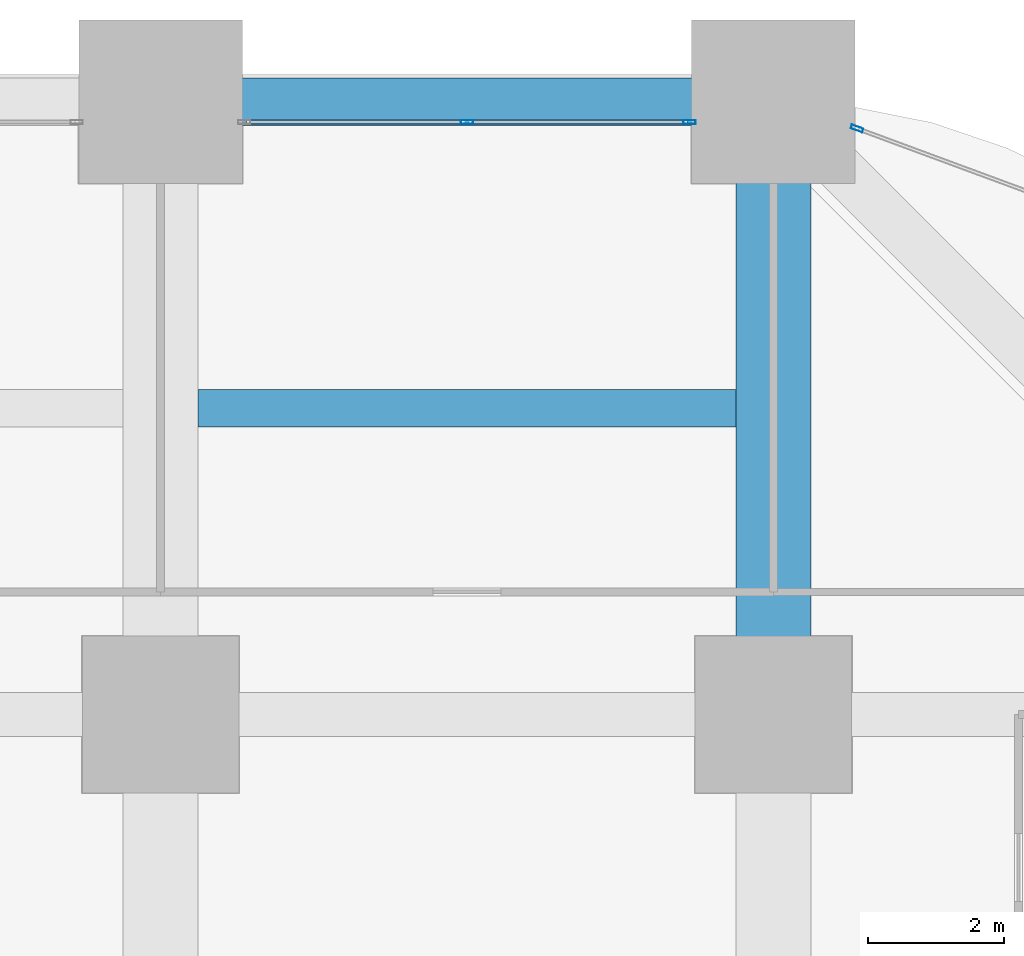
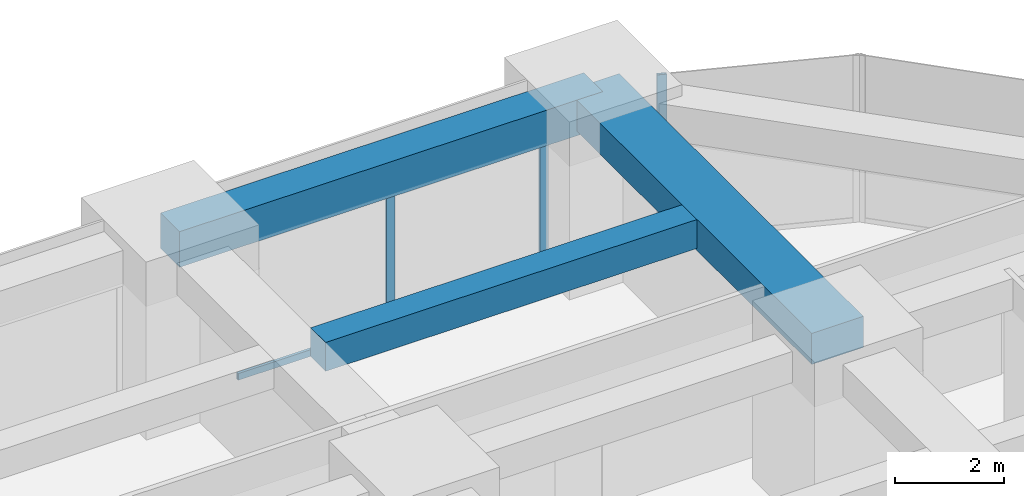
# One storey, part 36 of 45: 4 members, 3 beams, 2 elements without a shape of their own.
"""IFC4 building model written with IfcOpenShell, lengths in metres."""

from ifc_helpers import new_model, si_unit, direction, frame, origin, origin_2d, place, context, subcontext, project, spatial, rectangle, hollow_rectangle, extrude, material, material_profile, profile_set, type_object, element, aggregate, save


model = new_model("IFC4")

# Units and contexts
model_context = context("Model", 3, precision=1e-05, world=origin(), true_north=direction((0.0, 1.0)))
body_context = subcontext(model_context, "Body", "Model", "MODEL_VIEW")
ifc_project = project(units=[si_unit("LENGTHUNIT", "METRE"), si_unit("AREAUNIT", "SQUARE_METRE"), si_unit("VOLUMEUNIT", "CUBIC_METRE"), si_unit("PLANEANGLEUNIT", "RADIAN"), si_unit("MASSUNIT", "GRAM", prefix="KILO")], contexts=[model_context])

# Site, building, storey
site_placement = place(None, origin())
site = spatial("IfcSite", under=ifc_project, at=site_placement, CompositionType="ELEMENT")
building_placement = place(site_placement, origin())
building = spatial("IfcBuilding", under=site, at=building_placement, Name="Zorevar Civic Tower", CompositionType="ELEMENT")
storey_placement = place(building_placement, frame((0.0, 0.0, 27.800048828125)))
storey = spatial("IfcBuildingStorey", under=building, at=storey_placement, Name="L06", CompositionType="ELEMENT", Elevation=27.800048828125)

# Beams
ifc_material_1 = material(Name="Concrete C50/60", Category="concrete")
ifc_material_profile_1 = material_profile(ifc_material_1, rectangle(XDim=1.10009765625, YDim=0.699951171875, at=origin_2d()), Name="RC 1100x700")
ifc_profile_set_1 = profile_set([ifc_material_profile_1], Name="Concrete C50/60")
beam_type_1 = type_object("IfcBeamType", Name="Beam RC 1100x700", PredefinedType="BEAM", material=ifc_profile_set_1)
beam_1_placement = place(storey_placement, frame((54.0, 45.0, 3.39990234375), z_axis=(0.0, 1.0, 0.0), x_axis=(-1.0, 0.0, 0.0)))
element("IfcBeam", 1, at=beam_1_placement, inside=storey, type_object=beam_type_1, Name="Girder L07", PredefinedType="BEAM", context=body_context, shape_type="SweptSolid", body=[
    extrude(rectangle(XDim=1.10009765625, YDim=0.699951171875, at=origin_2d()), origin(), (0.0, 0.0, 1.0), 9.0),
])
ifc_material_2 = material(Name="Concrete C50/60", Category="concrete")
ifc_material_profile_2 = material_profile(ifc_material_2, rectangle(XDim=0.550048828125, YDim=0.64990234375, at=origin_2d()), Name="RC 550x650")
ifc_profile_set_2 = profile_set([ifc_material_profile_2], Name="Concrete C50/60")
beam_type_2 = type_object("IfcBeamType", Name="Beam RC 550x650", PredefinedType="BEAM", material=ifc_profile_set_2)
beam_2_placement = place(storey_placement, frame((45.550048828125, 49.5, 3.425048828125), z_axis=(1.0, 0.0, 0.0), x_axis=(0.0, 1.0, 0.0)))
element("IfcBeam", 2, at=beam_2_placement, inside=storey, type_object=beam_type_2, Name="Secondary beam L07", PredefinedType="BEAM", context=body_context, shape_type="SweptSolid", body=[
    extrude(rectangle(XDim=0.550048828125, YDim=0.64990234375, at=origin_2d()), origin(), (0.0, 0.0, 1.0), 7.89990234375),
])

# Curtain wall, members
ifc_material_3 = material(Name="Dark grey solar-control glass in black aluminium frame", Category="aluminium")
curtain_wall_type = type_object("IfcCurtainWallType", Name="Curtain wall CW2 low zone", PredefinedType="NOTDEFINED", material=ifc_material_3)
curtain_wall_1_placement = place(storey_placement, origin())
curtain_wall_1 = element("IfcCurtainWall", 3, at=curtain_wall_1_placement, inside=storey, type_object=curtain_wall_type, Name="CW2 L06", PredefinedType="NOTDEFINED")
ifc_material_4 = material(Name="Aluminium, black anodised", Category="aluminium")
ifc_material_profile_3 = material_profile(ifc_material_4, hollow_rectangle(XDim=0.06005859375, YDim=0.179931640625, WallThickness=0.00390625, at=origin_2d()), Name="AL 180x60x4")
ifc_profile_set_3 = profile_set([ifc_material_profile_3], Name="Aluminium, black anodised")
member_type_1 = type_object("IfcMemberType", Name="CW2 mullion AL 180x60x4", PredefinedType="MULLION", material=ifc_profile_set_3)
member_1_placement = place(storey_placement, frame((49.5, 53.699951171875, 0.06005859375), z_axis=(0.0, 0.0, 1.0), x_axis=(0.0, 1.0, 0.0)))
member_1 = element("IfcMember", 4, at=member_1_placement, type_object=member_type_1, Name="CW2 mullion 2", PredefinedType="MULLION", context=body_context, shape_type="SweptSolid", body=[
    extrude(hollow_rectangle(XDim=0.06005859375, YDim=0.179931640625, WallThickness=0.00390625, at=origin_2d()), origin(), (0.0, 0.0, 1.0), 2.889892578125),
])
member_2_placement = place(storey_placement, frame((52.77001953125, 53.699951171875, 0.0), z_axis=(0.0, 0.0, 1.0), x_axis=(0.0, 1.0, 0.0)))
member_2 = element("IfcMember", 5, at=member_2_placement, type_object=member_type_1, Name="CW2 mullion 3", PredefinedType="MULLION", context=body_context, shape_type="SweptSolid", body=[
    extrude(hollow_rectangle(XDim=0.06005859375, YDim=0.179931640625, WallThickness=0.00390625, at=origin_2d()), origin(), (0.0, 0.0, 1.0), 2.949951171875),
])

# Curtain wall, member
curtain_wall_2_placement = place(storey_placement, origin())
curtain_wall_2 = element("IfcCurtainWall", 6, at=curtain_wall_2_placement, inside=storey, type_object=curtain_wall_type, Name="CW2 L06", PredefinedType="NOTDEFINED")
member_3_placement = place(storey_placement, frame((55.22802734375, 53.6064453125, 0.0), z_axis=(0.0, 0.0, 1.0), x_axis=(-0.346704012033, -0.937974588163, 0.0)))
member_3 = element("IfcMember", 7, at=member_3_placement, type_object=member_type_1, Name="CW2 mullion 2", PredefinedType="MULLION", context=body_context, shape_type="SweptSolid", body=[
    extrude(hollow_rectangle(XDim=0.06005859375, YDim=0.179931640625, WallThickness=0.00390625, at=origin_2d()), origin(), (0.0, 0.0, 1.0), 3.75),
])
aggregate(curtain_wall_2, [member_3])

# Member
ifc_material_5 = material(Name="Aluminium, black anodised", Category="aluminium")
ifc_material_profile_4 = material_profile(ifc_material_5, hollow_rectangle(XDim=0.06005859375, YDim=0.14990234375, WallThickness=0.00390625, at=origin_2d()), Name="AL 150x60x4")
ifc_profile_set_4 = profile_set([ifc_material_profile_4], Name="Aluminium, black anodised")
member_type_2 = type_object("IfcMemberType", Name="CW2 transom AL 150x60x4", PredefinedType="USERDEFINED", material=ifc_profile_set_4)
member_4_placement = place(storey_placement, frame((46.260009765625, 53.699951171875, 0.030029296875), z_axis=(1.0, 0.0, 0.0), x_axis=(0.0, 1.0, 0.0)))
member_4 = element("IfcMember", 8, at=member_4_placement, type_object=member_type_2, Name="CW2 sill transom", ObjectType="TRANSOM", PredefinedType="USERDEFINED", context=body_context, shape_type="SweptSolid", body=[
    extrude(hollow_rectangle(XDim=0.06005859375, YDim=0.14990234375, WallThickness=0.00390625, at=origin_2d()), origin(), (0.0, 0.0, 1.0), 6.47998046875),
])

aggregate(curtain_wall_1, [member_1, member_2, member_4])

# Beam
ifc_material_6 = material(Name="Concrete C50/60", Category="concrete")
ifc_material_profile_5 = material_profile(ifc_material_6, rectangle(XDim=0.699951171875, YDim=0.800048828125, at=origin_2d()), Name="RC 700x800")
ifc_profile_set_5 = profile_set([ifc_material_profile_5], Name="Concrete C50/60")
beam_type_3 = type_object("IfcBeamType", Name="Edge beam RC 700x800", PredefinedType="SPANDREL", material=ifc_profile_set_5)
beam_3_placement = place(storey_placement, frame((45.0, 54.0, 3.349853515625), z_axis=(1.0, 0.0, 0.0), x_axis=(0.0, 1.0, 0.0)))
element("IfcBeam", 9, at=beam_3_placement, inside=storey, type_object=beam_type_3, Name="Edge beam L07", PredefinedType="SPANDREL", context=body_context, shape_type="SweptSolid", body=[
    extrude(rectangle(XDim=0.699951171875, YDim=0.800048828125, at=origin_2d()), origin(), (0.0, 0.0, 1.0), 9.0),
])

save(model, "model.ifc")
